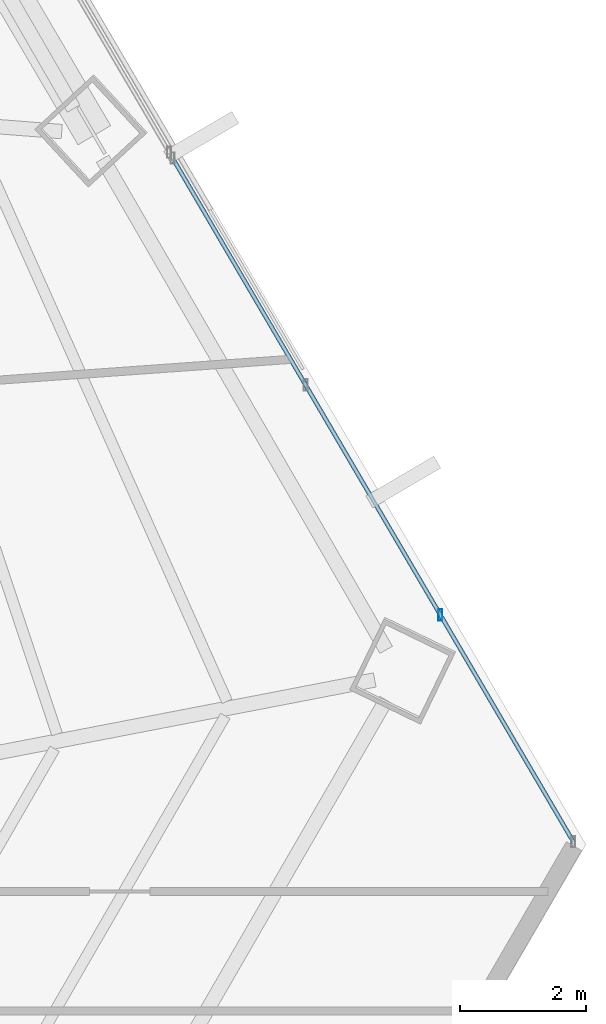
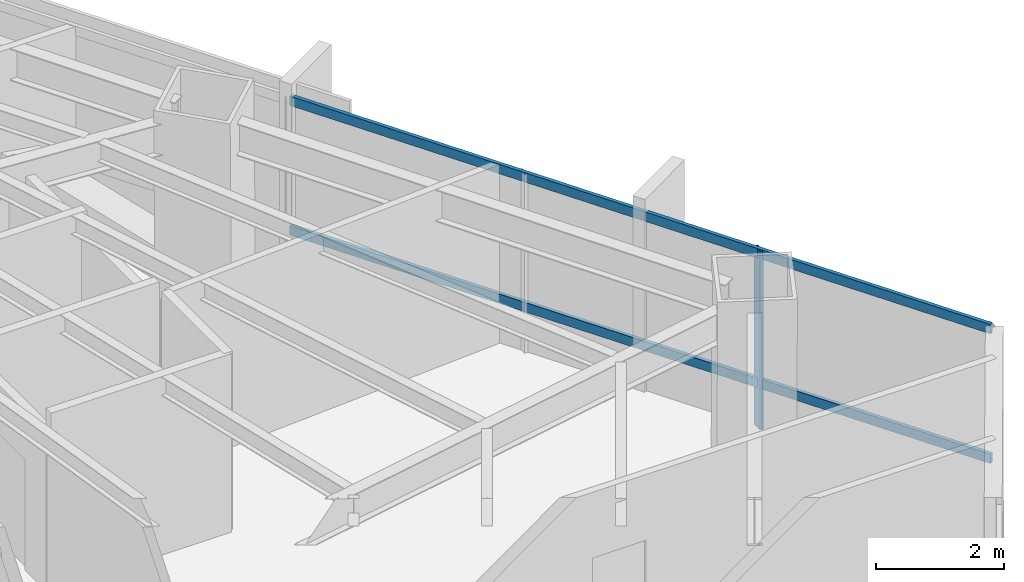
# One storey, part 21 of 33: 3 members, 1 element without a shape of its own.
"""IFC4 building model written with IfcOpenShell, lengths in metres."""

import ifcopenshell
import ifcopenshell.guid

model = None  # the IFC model being written
_history = None  # IfcOwnerHistory: only IFC2X3 demands one
_inside = {}  # id of a spatial element -> (the spatial element, [elements in it])
_under = {}  # id of a project, library or spatial element -> (it, [spatial elements below it])
_declared = {}  # id of a project -> (the project, [libraries it declares])
_typed = {}  # id of a type object -> (the type object, [elements of that type])
_made_of = {}  # id of a material, layer set ... -> (it, [elements and type objects made of it])


def new_model(schema):
    """Start an empty IFC model of exactly this schema.

    Asked for "IFC4X3", IfcOpenShell would pick the latest addendum, in which some entities
    have other attributes; the version numbers below select the first issue.
    IFC2X3 requires an IfcOwnerHistory on every rooted entity: one is made here for all.
    """
    global model, _history
    if schema == "IFC4X3":
        model = ifcopenshell.file(schema_version=(4, 3, 0, 0))
    else:
        model = ifcopenshell.file(schema=schema)
    _inside.clear()
    _under.clear()
    _declared.clear()
    _typed.clear()
    _made_of.clear()
    _history = None
    if model.schema == "IFC2X3":
        org = make("IfcOrganization", Name="unknown")
        user = make(
            "IfcPersonAndOrganization",
            ThePerson=make("IfcPerson", FamilyName="unknown"),
            TheOrganization=org,
        )
        app = make(
            "IfcApplication",
            ApplicationDeveloper=org,
            Version="unknown",
            ApplicationFullName="unknown",
            ApplicationIdentifier="unknown",
        )
        _history = make(
            "IfcOwnerHistory",
            OwningUser=user,
            OwningApplication=app,
            ChangeAction="ADDED",
            CreationDate=0,
        )
    return model


def make(cls, **values):
    """One entity of the class cls with the attributes given. An attribute that is None is left unset."""
    return model.create_entity(
        cls, **{name: value for name, value in values.items() if value is not None}
    )


def rooted(cls, **values):
    """An entity with a GlobalId (a new one), such as an element, a storey or a relation."""
    return make(cls, GlobalId=ifcopenshell.guid.new(), OwnerHistory=_history, **values)


def si_unit(unit_type, name, prefix=None):
    """IfcSIUnit, for example si_unit("LENGTHUNIT", "METRE", prefix="MILLI")."""
    return make("IfcSIUnit", UnitType=unit_type, Prefix=prefix, Name=name)


def assignment(units):
    """IfcUnitAssignment: the units of a project."""
    return None if units is None else make("IfcUnitAssignment", Units=units)


def point(xyz):
    """IfcCartesianPoint."""
    return None if xyz is None else make("IfcCartesianPoint", Coordinates=xyz)


def direction(xyz):
    """IfcDirection."""
    return None if xyz is None else make("IfcDirection", DirectionRatios=xyz)


def frame(location, z_axis=None, x_axis=None):
    """IfcAxis2Placement3D, a coordinate frame: its origin and axes. An axis left out is left unset."""
    return make(
        "IfcAxis2Placement3D",
        Location=point(location),
        Axis=direction(z_axis),
        RefDirection=direction(x_axis),
    )


def frame_2d(location, x_axis=None):
    """IfcAxis2Placement2D, a coordinate frame in the plane: its origin and x axis."""
    return make(
        "IfcAxis2Placement2D", Location=point(location), RefDirection=direction(x_axis)
    )


def origin():
    """The frame at (0, 0, 0) with its axes left unset."""
    return frame((0.0, 0.0, 0.0))


def origin_2d():
    """The frame at (0, 0) in the plane with its x axis left unset."""
    return frame_2d((0.0, 0.0))


def place(relative_to, where):
    """IfcLocalPlacement: puts the frame where relative to a parent placement (None: the world)."""
    return make(
        "IfcLocalPlacement", PlacementRelTo=relative_to, RelativePlacement=where
    )


def context(
    kind, dimensions, precision=None, world=None, true_north=None, identifier=None
):
    """IfcGeometricRepresentationContext, for example the 3D "Model" context."""
    return make(
        "IfcGeometricRepresentationContext",
        ContextIdentifier=identifier,
        ContextType=kind,
        CoordinateSpaceDimension=dimensions,
        Precision=precision,
        WorldCoordinateSystem=world,
        TrueNorth=true_north,
    )


def subcontext(parent, identifier, kind, view, scale=None):
    """IfcGeometricRepresentationSubContext, for example "Body" below "Model"."""
    return make(
        "IfcGeometricRepresentationSubContext",
        ContextIdentifier=identifier,
        ContextType=kind,
        ParentContext=parent,
        TargetScale=scale,
        TargetView=view,
    )


def project(units=None, contexts=None):
    """IfcProject with its units and contexts."""
    return rooted(
        "IfcProject",
        Name="project",
        RepresentationContexts=contexts,
        UnitsInContext=assignment(units),
    )


def spatial(cls, under=None, at=None, **own):
    """A site, building, storey or space (cls), placed at a placement, below another one or the project."""
    s = rooted(cls, ObjectPlacement=at, **own)
    if under is not None:
        _under.setdefault(under.id(), (under, []))[1].append(s)
    return s


def profile(cls, at=None, kind="AREA", **sizes):
    """A parametric profile (cls). Its sizes go by their IFC names, for example OverallWidth=200.0."""
    return make(cls, ProfileType=kind, Position=at, **sizes)


def hollow_rectangle(**sizes):
    """IfcRectangleHollowProfileDef."""
    return profile("IfcRectangleHollowProfileDef", **sizes)


def extrude(swept, where, along, depth):
    """IfcExtrudedAreaSolid: the profile swept, set in the frame where, extruded along a direction by depth."""
    return make(
        "IfcExtrudedAreaSolid",
        SweptArea=swept,
        Position=where,
        ExtrudedDirection=direction(along),
        Depth=depth,
    )


def shape(context_of_items, identifier, shape_type, items):
    """IfcShapeRepresentation: the items that make up one representation, for example the "Body"."""
    return make(
        "IfcShapeRepresentation",
        ContextOfItems=context_of_items,
        RepresentationIdentifier=identifier,
        RepresentationType=shape_type,
        Items=items,
    )


def source(mapping_origin, context_of_items, identifier, shape_type, items):
    """IfcRepresentationMap: a shape defined once, which mapped items show again and again."""
    return make(
        "IfcRepresentationMap",
        MappingOrigin=mapping_origin,
        MappedRepresentation=shape(context_of_items, identifier, shape_type, items),
    )


def transform(
    local_origin,
    x_axis=None,
    y_axis=None,
    z_axis=None,
    scale=None,
    scale2=None,
    scale3=None,
    uniform=True,
):
    """IfcCartesianTransformationOperator3D, or its non-uniform kind. x_axis, y_axis, z_axis: its Axis1, 2, 3."""
    if uniform:
        return make(
            "IfcCartesianTransformationOperator3D",
            Axis1=direction(x_axis),
            Axis2=direction(y_axis),
            LocalOrigin=point(local_origin),
            Scale=scale,
            Axis3=direction(z_axis),
        )
    return make(
        "IfcCartesianTransformationOperator3DnonUniform",
        Axis1=direction(x_axis),
        Axis2=direction(y_axis),
        LocalOrigin=point(local_origin),
        Scale=scale,
        Axis3=direction(z_axis),
        Scale2=scale2,
        Scale3=scale3,
    )


def mapped(mapping_source, mapping_target):
    """IfcMappedItem: shows the shape of a source again, moved by a transform."""
    return make(
        "IfcMappedItem", MappingSource=mapping_source, MappingTarget=mapping_target
    )


def material(Name=None, Category=None):
    """IfcMaterial."""
    return make("IfcMaterial", Name=Name, Category=Category)


def material_profile(
    of_material, cross_section, Name=None, Category=None, Priority=None
):
    """IfcMaterialProfile: a cross section and its material."""
    return make(
        "IfcMaterialProfile",
        Name=Name,
        Material=of_material,
        Profile=cross_section,
        Priority=Priority,
        Category=Category,
    )


def profile_set(profiles, Name=None, composite=None):
    """IfcMaterialProfileSet."""
    return make(
        "IfcMaterialProfileSet",
        Name=Name,
        MaterialProfiles=profiles,
        CompositeProfile=composite,
    )


def made_of(thing, what):
    """Note that an element or type object is made of a material, layer set ...; save() writes the relation."""
    if what is not None:
        _made_of.setdefault(what.id(), (what, []))[1].append(thing)
    return thing


def type_object(cls, material=None, **own):
    """A type object (cls), such as IfcWallType, which elements share."""
    return made_of(rooted(cls, **own), material)


def type_shapes(of_type, sources):
    """Give a type object the sources (RepresentationMaps) that its elements show as mapped items."""
    of_type.RepresentationMaps = sources


def element(
    cls,
    number,
    at=None,
    inside=None,
    cuts=None,
    type_object=None,
    material=None,
    context=None,
    identifier="Body",
    shape_type=None,
    held_by="IfcProductDefinitionShape",
    body=None,
    shapes=None,
    **own,
):
    """One element of the class cls, such as IfcWall. Its Tag is "e" and its number.

    at: its placement. inside: the storey or other place that contains it. cuts: it is an
    opening in that element (IfcRelVoidsElement). A single representation is given by context,
    identifier, shape_type and body (its items); several are given by shapes. held_by: the class
    of the entity that holds the representations. save() writes the other relations.
    """
    e = rooted(cls, Tag="e%d" % number, ObjectPlacement=at, **own)
    if body is not None:
        shapes = [shape(context, identifier, shape_type, body)]
    if shapes is not None:
        e.Representation = make(held_by, Representations=shapes)
    if inside is not None:
        _inside.setdefault(inside.id(), (inside, []))[1].append(e)
    if cuts is not None:
        rooted(
            "IfcRelVoidsElement", RelatingBuildingElement=cuts, RelatedOpeningElement=e
        )
    if type_object is not None:
        _typed.setdefault(type_object.id(), (type_object, []))[1].append(e)
    return made_of(e, material)


def aggregate(whole, parts):
    """IfcRelAggregates: a whole, such as a stair, and the parts it consists of."""
    return rooted("IfcRelAggregates", RelatingObject=whole, RelatedObjects=parts)


def save(model, path):
    """Write the relations noted so far, then the file.

    IfcRelAggregates (storeys below a building ...), IfcRelContainedInSpatialStructure (elements
    in a storey), IfcRelDefinesByType, IfcRelAssociatesMaterial and IfcRelDeclares: one each for
    every whole, place, type object, material and project.
    """
    for whole, parts in _under.values():
        aggregate(whole, parts)
    for where, things in _inside.values():
        rooted(
            "IfcRelContainedInSpatialStructure",
            RelatedElements=things,
            RelatingStructure=where,
        )
    for kind, things in _typed.values():
        rooted("IfcRelDefinesByType", RelatedObjects=things, RelatingType=kind)
    for what, things in _made_of.values():
        rooted("IfcRelAssociatesMaterial", RelatedObjects=things, RelatingMaterial=what)
    for by, libraries in _declared.values():
        rooted("IfcRelDeclares", RelatingContext=by, RelatedDefinitions=libraries)
    model.write(path)


model = new_model("IFC4")

# Units and contexts
model_context = context("Model", 3, precision=1e-05, world=origin(), true_north=direction((0.0, 1.0)))
body_context = subcontext(model_context, "Body", "Model", "MODEL_VIEW")
ifc_project = project(units=[si_unit("LENGTHUNIT", "METRE"), si_unit("AREAUNIT", "SQUARE_METRE"), si_unit("VOLUMEUNIT", "CUBIC_METRE"), si_unit("PLANEANGLEUNIT", "RADIAN"), si_unit("MASSUNIT", "GRAM", prefix="KILO")], contexts=[model_context])

# Site, building, storey
site_placement = place(None, origin())
site = spatial("IfcSite", under=ifc_project, at=site_placement, CompositionType="ELEMENT")
building_placement = place(site_placement, origin())
building = spatial("IfcBuilding", under=site, at=building_placement, Name="Caelisora Broadcast Tower", CompositionType="ELEMENT")
storey_placement = place(building_placement, frame((0.0, 0.0, 42.199951171875)))
storey = spatial("IfcBuildingStorey", under=building, at=storey_placement, Name="L10", CompositionType="ELEMENT", Elevation=42.199951171875)

# Curtain wall, members
ifc_material_1 = material(Name="Unitised Aluminium and Low-E Glass Curtain Wall", Category="glass")
curtain_wall_type = type_object("IfcCurtainWallType", Name="CW-Z1", PredefinedType="NOTDEFINED", material=ifc_material_1)
curtain_wall_placement = place(storey_placement, origin())
curtain_wall = element("IfcCurtainWall", 1, at=curtain_wall_placement, inside=storey, type_object=curtain_wall_type, Name="L10 curtain wall CW-Z1", PredefinedType="NOTDEFINED")
ifc_material_2 = material(Name="Aluminium 6063-T6 Anodised Terracotta Bronze", Category="aluminium")
ifc_material_profile_1 = material_profile(ifc_material_2, hollow_rectangle(XDim=0.06494140625, YDim=0.179931640625, WallThickness=0.00341796875, at=origin_2d()), Name="Aluminium 6063-T6 Anodised Terracotta Bronze")
ifc_profile_set_1 = profile_set([ifc_material_profile_1], Name="Aluminium 6063-T6 Anodised Terracotta Bronze")
member_type_1 = type_object("IfcMemberType", Name="CWM-02", PredefinedType="MULLION", material=ifc_profile_set_1)
shared_shape_1 = source(origin(), body_context, "Body", "SweptSolid", [
    extrude(hollow_rectangle(XDim=0.06494140625, YDim=0.179931640625, WallThickness=0.00341796875, at=origin_2d()), origin(), (0.0, 0.0, 1.0), 3.400146484375),
])
type_shapes(member_type_1, [shared_shape_1])
member_1_placement = place(storey_placement, frame((62.38330078125, 21.488037109375, 0.0), z_axis=(0.0, 0.0, 1.0), x_axis=(1.0, 0.0, 0.0)))
member_1 = element("IfcMember", 2, at=member_1_placement, type_object=member_type_1, Name="L10-CW-B03 mullion #2", PredefinedType="MULLION", context=body_context, shape_type="MappedRepresentation", body=[
    mapped(shared_shape_1, transform((0.0, 0.0, 0.0), scale=1.0)),
])
ifc_material_profile_2 = material_profile(ifc_material_2, hollow_rectangle(XDim=0.06494140625, YDim=0.179931640625, WallThickness=0.00341796875, at=origin_2d()), Name="Aluminium 6063-T6 Anodised Terracotta Bronze")
ifc_profile_set_2 = profile_set([ifc_material_profile_2], Name="Aluminium 6063-T6 Anodised Terracotta Bronze")
member_type_2 = type_object("IfcMemberType", Name="CWT-01", PredefinedType="USERDEFINED", material=ifc_profile_set_2)
shared_shape_2 = source(origin(), body_context, "Body", "SweptSolid", [
    extrude(hollow_rectangle(XDim=0.06494140625, YDim=0.179931640625, WallThickness=0.00341796875, at=origin_2d()), origin(), (0.0, 0.0, 1.0), 12.5751953125),
])
type_shapes(member_type_2, [shared_shape_2])
member_2_placement = place(storey_placement, frame((58.135498046875, 28.73486328125, 0.85009765625), z_axis=(0.505686615148, -0.862717246414, 0.0), x_axis=(0.862717246414, 0.505686615148, 0.0)))
member_2 = element("IfcMember", 3, at=member_2_placement, type_object=member_type_2, Name="L10-CW-B03 transom #1", ObjectType="TRANSOM", PredefinedType="USERDEFINED", context=body_context, shape_type="MappedRepresentation", body=[
    mapped(shared_shape_2, transform((0.0, 0.0, 0.0), scale=1.0)),
])
member_3_placement = place(storey_placement, frame((58.135498046875, 28.73486328125, 3.320068359375), z_axis=(0.505686615148, -0.862717246414, 0.0), x_axis=(0.862717246414, 0.505686615148, 0.0)))
member_3 = element("IfcMember", 4, at=member_3_placement, type_object=member_type_2, Name="L10-CW-B03 transom #2", ObjectType="TRANSOM", PredefinedType="USERDEFINED", context=body_context, shape_type="MappedRepresentation", body=[
    mapped(shared_shape_2, transform((0.0, 0.0, 0.0), scale=1.0)),
])
aggregate(curtain_wall, [member_1, member_2, member_3])

save(model, "model.ifc")
